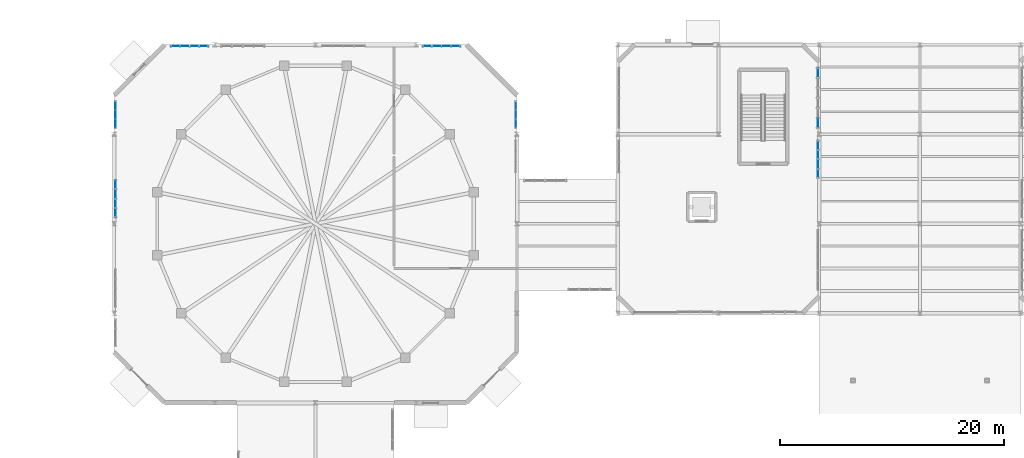
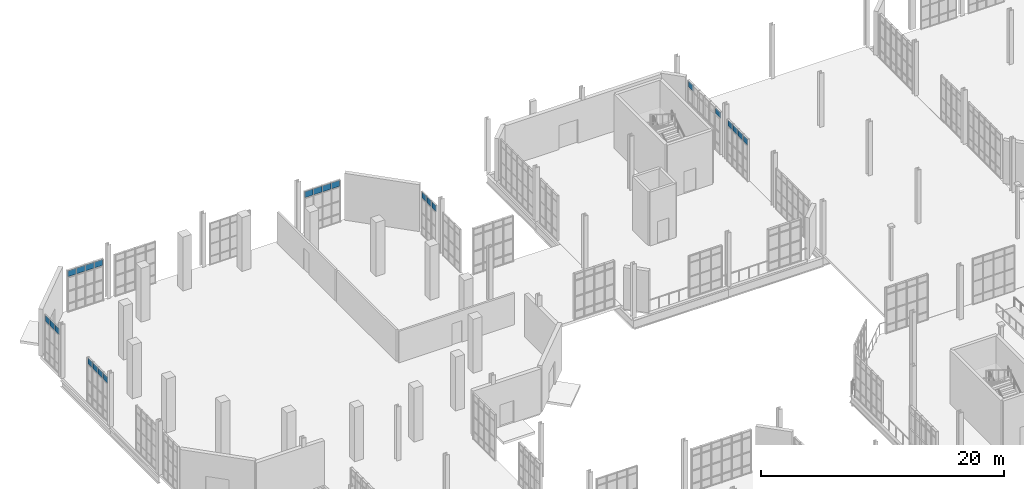
# One storey, part 169 of 189: 24 plates, 7 elements without a shape of their own.
"""IFC4 building model written with IfcOpenShell, lengths in metres."""

from ifc_helpers import new_model, si_unit, direction, frame, origin, origin_2d, place, context, subcontext, project, spatial, rectangle, extrude, material, layer, layer_set, type_object, element, aggregate, save


model = new_model("IFC4")

# Units and contexts
model_context = context("Model", 3, precision=1e-05, world=origin(), true_north=direction((0.0, 1.0)))
body_context = subcontext(model_context, "Body", "Model", "MODEL_VIEW")
ifc_project = project(units=[si_unit("LENGTHUNIT", "METRE"), si_unit("AREAUNIT", "SQUARE_METRE"), si_unit("VOLUMEUNIT", "CUBIC_METRE"), si_unit("PLANEANGLEUNIT", "RADIAN"), si_unit("MASSUNIT", "GRAM", prefix="KILO"), si_unit("THERMODYNAMICTEMPERATUREUNIT", "KELVIN"), si_unit("POWERUNIT", "WATT")], contexts=[model_context])

# Site, building, storey
site_placement = place(None, origin())
site = spatial("IfcSite", under=ifc_project, at=site_placement, CompositionType="ELEMENT")
building_placement = place(site_placement, origin())
building = spatial("IfcBuilding", under=site, at=building_placement, Name="Zelmaris Science Centre", CompositionType="ELEMENT")
storey_placement = place(building_placement, origin())
storey = spatial("IfcBuildingStorey", under=building, at=storey_placement, Name="L00", CompositionType="ELEMENT", Elevation=0.0)

# Curtain wall, plates
ifc_material_1 = material(Name="Anodised architectural aluminium 6063-T6", Category="aluminium")
ifc_layer_1 = layer(ifc_material_1, 0.18994140625, Name="Anodised architectural aluminium 6063-T6")
ifc_layer_set_1 = layer_set([ifc_layer_1], Name="Anodised architectural aluminium 6063-T6")
curtain_wall_type_1 = type_object("IfcCurtainWallType", Name="Curtain Wall CW-01", PredefinedType="USERDEFINED", material=ifc_layer_set_1)
curtain_wall_1_placement = place(storey_placement, origin())
curtain_wall_1 = element("IfcCurtainWall", 1, at=curtain_wall_1_placement, inside=storey, type_object=curtain_wall_type_1, Name="L00 Unitised curtain wall 17", ObjectType="GLAZED CURTAIN WALL", PredefinedType="USERDEFINED")
ifc_material_2 = material(Name="Laminated hurricane-rated low-E insulated glazing", Category="glass")
ifc_layer_2 = layer(ifc_material_2, 0.031982421875, Name="Laminated hurricane-rated low-E insulated glazing")
ifc_layer_set_2 = layer_set([ifc_layer_2], Name="Laminated hurricane-rated low-E insulated glazing")
plate_type_1 = type_object("IfcPlateType", Name="Curtain Glazing Panel CWP-1 32mm", PredefinedType="CURTAIN_PANEL", material=ifc_layer_set_2)
plate_1_placement = place(storey_placement, frame((14.485595703125, 87.8798828125, 3.5068359375), z_axis=(0.0, 0.0, 1.0), x_axis=(1.0, 0.0, 0.0)))
plate_1 = element("IfcPlate", 2, at=plate_1_placement, type_object=plate_type_1, Name="CW-01 panel 1.4", PredefinedType="CURTAIN_PANEL", context=body_context, shape_type="SweptSolid", body=[
    extrude(rectangle(XDim=0.7470703125, YDim=0.031982421875, at=origin_2d()), origin(), (0.0, 0.0, 1.0), 0.592041015625),
])
plate_2_placement = place(storey_placement, frame((15.322509765625, 87.8798828125, 3.5068359375), z_axis=(0.0, 0.0, 1.0), x_axis=(1.0, 0.0, 0.0)))
plate_2 = element("IfcPlate", 3, at=plate_2_placement, type_object=plate_type_1, Name="CW-01 panel 2.4", PredefinedType="CURTAIN_PANEL", context=body_context, shape_type="SweptSolid", body=[
    extrude(rectangle(XDim=0.782958984375, YDim=0.031982421875, at=origin_2d()), origin(), (0.0, 0.0, 1.0), 0.592041015625),
])
plate_3_placement = place(storey_placement, frame((16.177490234375, 87.8798828125, 3.5068359375), z_axis=(0.0, 0.0, 1.0), x_axis=(1.0, 0.0, 0.0)))
plate_3 = element("IfcPlate", 4, at=plate_3_placement, type_object=plate_type_1, Name="CW-01 panel 3.4", PredefinedType="CURTAIN_PANEL", context=body_context, shape_type="SweptSolid", body=[
    extrude(rectangle(XDim=0.782958984375, YDim=0.031982421875, at=origin_2d()), origin(), (0.0, 0.0, 1.0), 0.592041015625),
])
plate_4_placement = place(storey_placement, frame((17.014404296875, 87.8798828125, 3.5068359375), z_axis=(0.0, 0.0, 1.0), x_axis=(1.0, 0.0, 0.0)))
plate_4 = element("IfcPlate", 5, at=plate_4_placement, type_object=plate_type_1, Name="CW-01 panel 4.4", PredefinedType="CURTAIN_PANEL", context=body_context, shape_type="SweptSolid", body=[
    extrude(rectangle(XDim=0.7470703125, YDim=0.031982421875, at=origin_2d()), origin(), (0.0, 0.0, 1.0), 0.592041015625),
])
aggregate(curtain_wall_1, [plate_1, plate_2, plate_3, plate_4])

curtain_wall_2_placement = place(storey_placement, origin())
curtain_wall_2 = element("IfcCurtainWall", 6, at=curtain_wall_2_placement, inside=storey, type_object=curtain_wall_type_1, Name="L00 Unitised curtain wall 29", ObjectType="GLAZED CURTAIN WALL", PredefinedType="USERDEFINED")
plate_5_placement = place(storey_placement, frame((71.8798828125, 85.490234375, 3.56982421875), z_axis=(0.0, 0.0, 1.0), x_axis=(0.0, -1.0, 0.0)))
plate_5 = element("IfcPlate", 7, at=plate_5_placement, type_object=plate_type_1, Name="CW-01 panel 1.4", PredefinedType="CURTAIN_PANEL", context=body_context, shape_type="SweptSolid", body=[
    extrude(rectangle(XDim=0.79541015625, YDim=0.031982421875, at=origin_2d()), origin(), (0.0, 0.0, 1.0), 0.592041015625),
])
plate_6_placement = place(storey_placement, frame((71.8798828125, 81.009765625, 3.56982421875), z_axis=(0.0, 0.0, 1.0), x_axis=(0.0, -1.0, 0.0)))
plate_6 = element("IfcPlate", 8, at=plate_6_placement, type_object=plate_type_1, Name="CW-01 panel 6.4", PredefinedType="CURTAIN_PANEL", context=body_context, shape_type="SweptSolid", body=[
    extrude(rectangle(XDim=0.79541015625, YDim=0.031982421875, at=origin_2d()), origin(), (0.0, 0.0, 1.0), 0.592041015625),
])
aggregate(curtain_wall_2, [plate_5, plate_6])

ifc_layer_3 = layer(ifc_material_1, 0.199951171875, Name="Anodised architectural aluminium 6063-T6")
ifc_layer_set_3 = layer_set([ifc_layer_3], Name="Anodised architectural aluminium 6063-T6")
curtain_wall_type_2 = type_object("IfcCurtainWallType", Name="Curtain Wall CW-02", PredefinedType="USERDEFINED", material=ifc_layer_set_3)
curtain_wall_3_placement = place(storey_placement, origin())
curtain_wall_3 = element("IfcCurtainWall", 9, at=curtain_wall_3_placement, inside=storey, type_object=curtain_wall_type_2, Name="L00 Unitised curtain wall 14", ObjectType="GLAZED CURTAIN WALL", PredefinedType="USERDEFINED")
ifc_layer_4 = layer(ifc_material_2, 0.028076171875, Name="Laminated hurricane-rated low-E insulated glazing")
ifc_layer_set_4 = layer_set([ifc_layer_4], Name="Laminated hurricane-rated low-E insulated glazing")
plate_type_2 = type_object("IfcPlateType", Name="Curtain Glazing Panel CWP-2 28mm", PredefinedType="CURTAIN_PANEL", material=ifc_layer_set_4)
plate_7_placement = place(storey_placement, frame((9.1201171875, 72.981689453125, 3.806396484375), z_axis=(0.0, 0.0, 1.0), x_axis=(0.0, 1.0, 0.0)))
plate_7 = element("IfcPlate", 10, at=plate_7_placement, type_object=plate_type_2, Name="CW-02 panel 1.4", PredefinedType="CURTAIN_PANEL", context=body_context, shape_type="SweptSolid", body=[
    extrude(rectangle(XDim=0.74951171875, YDim=0.028076171875, at=origin_2d()), origin(), (0.0, 0.0, 1.0), 0.599609375),
])
plate_8_placement = place(storey_placement, frame((9.1201171875, 73.81494140625, 3.806396484375), z_axis=(0.0, 0.0, 1.0), x_axis=(0.0, 1.0, 0.0)))
plate_8 = element("IfcPlate", 11, at=plate_8_placement, type_object=plate_type_2, Name="CW-02 panel 2.4", PredefinedType="CURTAIN_PANEL", context=body_context, shape_type="SweptSolid", body=[
    extrude(rectangle(XDim=0.782958984375, YDim=0.028076171875, at=origin_2d()), origin(), (0.0, 0.0, 1.0), 0.599609375),
])
plate_9_placement = place(storey_placement, frame((9.1201171875, 74.6650390625, 3.806396484375), z_axis=(0.0, 0.0, 1.0), x_axis=(0.0, 1.0, 0.0)))
plate_9 = element("IfcPlate", 12, at=plate_9_placement, type_object=plate_type_2, Name="CW-02 panel 3.4", PredefinedType="CURTAIN_PANEL", context=body_context, shape_type="SweptSolid", body=[
    extrude(rectangle(XDim=0.782958984375, YDim=0.028076171875, at=origin_2d()), origin(), (0.0, 0.0, 1.0), 0.599609375),
])
plate_10_placement = place(storey_placement, frame((9.1201171875, 75.498291015625, 3.806396484375), z_axis=(0.0, 0.0, 1.0), x_axis=(0.0, 1.0, 0.0)))
plate_10 = element("IfcPlate", 13, at=plate_10_placement, type_object=plate_type_2, Name="CW-02 panel 4.4", PredefinedType="CURTAIN_PANEL", context=body_context, shape_type="SweptSolid", body=[
    extrude(rectangle(XDim=0.74951171875, YDim=0.028076171875, at=origin_2d()), origin(), (0.0, 0.0, 1.0), 0.599609375),
])
aggregate(curtain_wall_3, [plate_7, plate_8, plate_9, plate_10])

curtain_wall_4_placement = place(storey_placement, origin())
curtain_wall_4 = element("IfcCurtainWall", 14, at=curtain_wall_4_placement, inside=storey, type_object=curtain_wall_type_2, Name="L00 Unitised curtain wall 22", ObjectType="GLAZED CURTAIN WALL", PredefinedType="USERDEFINED")
plate_11_placement = place(storey_placement, frame((36.984130859375, 87.8798828125, 3.5673828125), z_axis=(0.0, 0.0, 1.0), x_axis=(1.0, 0.0, 0.0)))
plate_11 = element("IfcPlate", 15, at=plate_11_placement, type_object=plate_type_2, Name="CW-02 panel 1.4", PredefinedType="CURTAIN_PANEL", context=body_context, shape_type="SweptSolid", body=[
    extrude(rectangle(XDim=0.75439453125, YDim=0.028076171875, at=origin_2d()), origin(), (0.0, 0.0, 1.0), 0.599609375),
])
plate_12_placement = place(storey_placement, frame((37.822509765625, 87.8798828125, 3.5673828125), z_axis=(0.0, 0.0, 1.0), x_axis=(1.0, 0.0, 0.0)))
plate_12 = element("IfcPlate", 16, at=plate_12_placement, type_object=plate_type_2, Name="CW-02 panel 2.4", PredefinedType="CURTAIN_PANEL", context=body_context, shape_type="SweptSolid", body=[
    extrude(rectangle(XDim=0.7880859375, YDim=0.028076171875, at=origin_2d()), origin(), (0.0, 0.0, 1.0), 0.599609375),
])
plate_13_placement = place(storey_placement, frame((38.677490234375, 87.8798828125, 3.5673828125), z_axis=(0.0, 0.0, 1.0), x_axis=(1.0, 0.0, 0.0)))
plate_13 = element("IfcPlate", 17, at=plate_13_placement, type_object=plate_type_2, Name="CW-02 panel 3.4", PredefinedType="CURTAIN_PANEL", context=body_context, shape_type="SweptSolid", body=[
    extrude(rectangle(XDim=0.7880859375, YDim=0.028076171875, at=origin_2d()), origin(), (0.0, 0.0, 1.0), 0.599609375),
])
plate_14_placement = place(storey_placement, frame((39.515869140625, 87.8798828125, 3.5673828125), z_axis=(0.0, 0.0, 1.0), x_axis=(1.0, 0.0, 0.0)))
plate_14 = element("IfcPlate", 18, at=plate_14_placement, type_object=plate_type_2, Name="CW-02 panel 4.4", PredefinedType="CURTAIN_PANEL", context=body_context, shape_type="SweptSolid", body=[
    extrude(rectangle(XDim=0.75439453125, YDim=0.028076171875, at=origin_2d()), origin(), (0.0, 0.0, 1.0), 0.599609375),
])
aggregate(curtain_wall_4, [plate_11, plate_12, plate_13, plate_14])

curtain_wall_5_placement = place(storey_placement, origin())
curtain_wall_5 = element("IfcCurtainWall", 19, at=curtain_wall_5_placement, inside=storey, type_object=curtain_wall_type_2, Name="L00 Unitised curtain wall 30", ObjectType="GLAZED CURTAIN WALL", PredefinedType="USERDEFINED")
plate_15_placement = place(storey_placement, frame((71.8798828125, 79.018310546875, 3.5673828125), z_axis=(0.0, 0.0, 1.0), x_axis=(0.0, -1.0, 0.0)))
plate_15 = element("IfcPlate", 20, at=plate_15_placement, type_object=plate_type_2, Name="CW-02 panel 1.4", PredefinedType="CURTAIN_PANEL", context=body_context, shape_type="SweptSolid", body=[
    extrude(rectangle(XDim=0.74951171875, YDim=0.028076171875, at=origin_2d()), origin(), (0.0, 0.0, 1.0), 0.599609375),
])
plate_16_placement = place(storey_placement, frame((71.8798828125, 78.18505859375, 3.5673828125), z_axis=(0.0, 0.0, 1.0), x_axis=(0.0, -1.0, 0.0)))
plate_16 = element("IfcPlate", 21, at=plate_16_placement, type_object=plate_type_2, Name="CW-02 panel 2.4", PredefinedType="CURTAIN_PANEL", context=body_context, shape_type="SweptSolid", body=[
    extrude(rectangle(XDim=0.782958984375, YDim=0.028076171875, at=origin_2d()), origin(), (0.0, 0.0, 1.0), 0.599609375),
])
plate_17_placement = place(storey_placement, frame((71.8798828125, 77.3349609375, 3.5673828125), z_axis=(0.0, 0.0, 1.0), x_axis=(0.0, -1.0, 0.0)))
plate_17 = element("IfcPlate", 22, at=plate_17_placement, type_object=plate_type_2, Name="CW-02 panel 3.4", PredefinedType="CURTAIN_PANEL", context=body_context, shape_type="SweptSolid", body=[
    extrude(rectangle(XDim=0.782958984375, YDim=0.028076171875, at=origin_2d()), origin(), (0.0, 0.0, 1.0), 0.599609375),
])
plate_18_placement = place(storey_placement, frame((71.8798828125, 76.501708984375, 3.5673828125), z_axis=(0.0, 0.0, 1.0), x_axis=(0.0, -1.0, 0.0)))
plate_18 = element("IfcPlate", 23, at=plate_18_placement, type_object=plate_type_2, Name="CW-02 panel 4.4", PredefinedType="CURTAIN_PANEL", context=body_context, shape_type="SweptSolid", body=[
    extrude(rectangle(XDim=0.74951171875, YDim=0.028076171875, at=origin_2d()), origin(), (0.0, 0.0, 1.0), 0.599609375),
])
aggregate(curtain_wall_5, [plate_15, plate_16, plate_17, plate_18])

ifc_layer_5 = layer(ifc_material_1, 0.2099609375, Name="Anodised architectural aluminium 6063-T6")
ifc_layer_set_5 = layer_set([ifc_layer_5], Name="Anodised architectural aluminium 6063-T6")
curtain_wall_type_3 = type_object("IfcCurtainWallType", Name="Curtain Wall CW-03", PredefinedType="USERDEFINED", material=ifc_layer_set_5)
curtain_wall_6_placement = place(storey_placement, origin())
curtain_wall_6 = element("IfcCurtainWall", 24, at=curtain_wall_6_placement, inside=storey, type_object=curtain_wall_type_3, Name="L00 Unitised curtain wall 23", ObjectType="GLAZED CURTAIN WALL", PredefinedType="USERDEFINED")
ifc_layer_6 = layer(ifc_material_2, 0.02587890625, Name="Laminated hurricane-rated low-E insulated glazing")
ifc_layer_set_6 = layer_set([ifc_layer_6], Name="Laminated hurricane-rated low-E insulated glazing")
plate_type_3 = type_object("IfcPlateType", Name="Curtain Glazing Panel CWP-3 26mm", PredefinedType="CURTAIN_PANEL", material=ifc_layer_set_6)
plate_19_placement = place(storey_placement, frame((44.8798828125, 82.54248046875, 3.6513671875), z_axis=(0.0, 0.0, 1.0), x_axis=(4.1322311e-05, -0.999999999146, 0.0)))
plate_19 = element("IfcPlate", 25, at=plate_19_placement, type_object=plate_type_3, Name="CW-03 panel 1.4", PredefinedType="CURTAIN_PANEL", context=body_context, shape_type="SweptSolid", body=[
    extrude(rectangle(XDim=0.72119140625, YDim=0.02587890625, at=origin_2d()), origin(), (0.0, 0.0, 1.0), 0.614501953125),
])
plate_20_placement = place(storey_placement, frame((44.8798828125, 81.75, 3.6513671875), z_axis=(0.0, 0.0, 1.0), x_axis=(4.1322311e-05, -0.999999999146, 0.0)))
plate_20 = element("IfcPlate", 26, at=plate_20_placement, type_object=plate_type_3, Name="CW-03 panel 2.4", PredefinedType="CURTAIN_PANEL", context=body_context, shape_type="SweptSolid", body=[
    extrude(rectangle(XDim=0.749755859375, YDim=0.02587890625, at=origin_2d()), origin(), (0.0, 0.0, 1.0), 0.614501953125),
])
plate_21_placement = place(storey_placement, frame((44.8798828125, 80.95751953125, 3.6513671875), z_axis=(0.0, 0.0, 1.0), x_axis=(4.1322311e-05, -0.999999999146, 0.0)))
plate_21 = element("IfcPlate", 27, at=plate_21_placement, type_object=plate_type_3, Name="CW-03 panel 3.4", PredefinedType="CURTAIN_PANEL", context=body_context, shape_type="SweptSolid", body=[
    extrude(rectangle(XDim=0.72119140625, YDim=0.02587890625, at=origin_2d()), origin(), (0.0, 0.0, 1.0), 0.614501953125),
])
aggregate(curtain_wall_6, [plate_19, plate_20, plate_21])

ifc_layer_7 = layer(ifc_material_1, 0.219970703125, Name="Anodised architectural aluminium 6063-T6")
ifc_layer_set_7 = layer_set([ifc_layer_7], Name="Anodised architectural aluminium 6063-T6")
curtain_wall_type_4 = type_object("IfcCurtainWallType", Name="Curtain Wall CW-04", PredefinedType="USERDEFINED", material=ifc_layer_set_7)
curtain_wall_7_placement = place(storey_placement, origin())
curtain_wall_7 = element("IfcCurtainWall", 28, at=curtain_wall_7_placement, inside=storey, type_object=curtain_wall_type_4, Name="L00 Unitised curtain wall 16", ObjectType="GLAZED CURTAIN WALL", PredefinedType="USERDEFINED")
ifc_layer_8 = layer(ifc_material_2, 0.02392578125, Name="Laminated hurricane-rated low-E insulated glazing")
ifc_layer_set_8 = layer_set([ifc_layer_8], Name="Laminated hurricane-rated low-E insulated glazing")
plate_type_4 = type_object("IfcPlateType", Name="Curtain Glazing Panel CWP-4 24mm", PredefinedType="CURTAIN_PANEL", material=ifc_layer_set_8)
plate_22_placement = place(storey_placement, frame((9.1201171875, 80.956298828125, 3.80908203125), z_axis=(0.0, 0.0, 1.0), x_axis=(0.0, 1.0, 0.0)))
plate_22 = element("IfcPlate", 29, at=plate_22_placement, type_object=plate_type_4, Name="CW-04 panel 1.4", PredefinedType="CURTAIN_PANEL", context=body_context, shape_type="SweptSolid", body=[
    extrude(rectangle(XDim=0.728759765625, YDim=0.02392578125, at=origin_2d()), origin(), (0.0, 0.0, 1.0), 0.6220703125),
])
plate_23_placement = place(storey_placement, frame((9.1201171875, 81.75, 3.80908203125), z_axis=(0.0, 0.0, 1.0), x_axis=(0.0, 1.0, 0.0)))
plate_23 = element("IfcPlate", 30, at=plate_23_placement, type_object=plate_type_4, Name="CW-04 panel 2.4", PredefinedType="CURTAIN_PANEL", context=body_context, shape_type="SweptSolid", body=[
    extrude(rectangle(XDim=0.754638671875, YDim=0.02392578125, at=origin_2d()), origin(), (0.0, 0.0, 1.0), 0.6220703125),
])
plate_24_placement = place(storey_placement, frame((9.1201171875, 82.543701171875, 3.80908203125), z_axis=(0.0, 0.0, 1.0), x_axis=(0.0, 1.0, 0.0)))
plate_24 = element("IfcPlate", 31, at=plate_24_placement, type_object=plate_type_4, Name="CW-04 panel 3.4", PredefinedType="CURTAIN_PANEL", context=body_context, shape_type="SweptSolid", body=[
    extrude(rectangle(XDim=0.728759765625, YDim=0.02392578125, at=origin_2d()), origin(), (0.0, 0.0, 1.0), 0.6220703125),
])
aggregate(curtain_wall_7, [plate_22, plate_23, plate_24])

save(model, "model.ifc")
